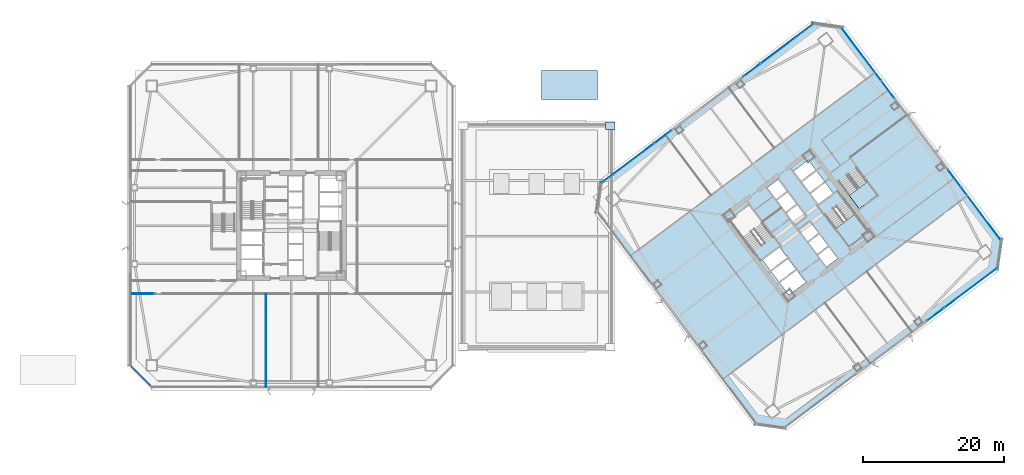
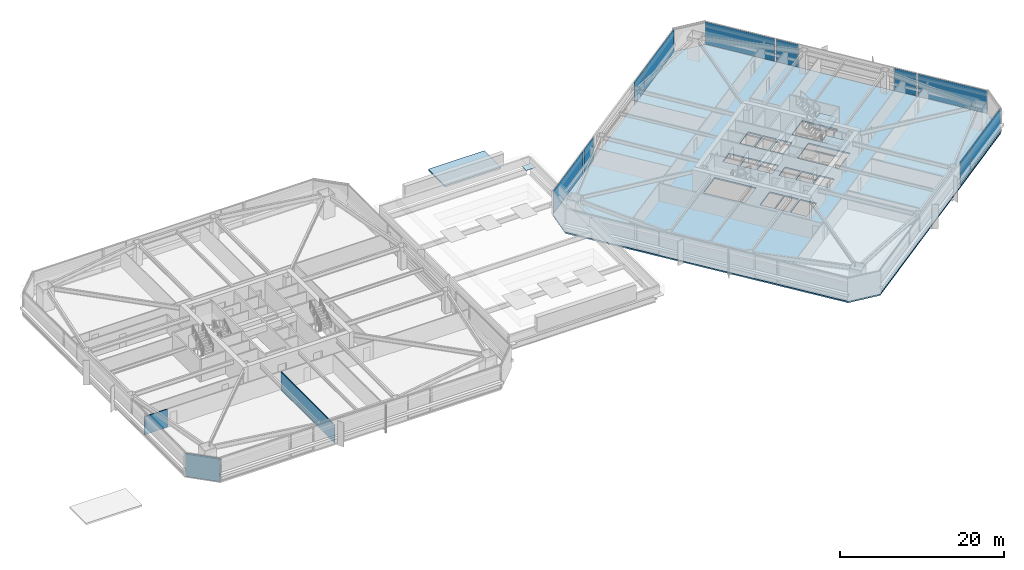
# One storey, part 42 of 62: 11 plates, 4 slabs, 3 walls, 12 elements without a shape of their own.
"""IFC4 building model written with IfcOpenShell, lengths in metres."""

from ifc_helpers import new_model, si_unit, direction, frame, frame_2d, origin, origin_2d, place, context, subcontext, project, spatial, polyline, rectangle, outline, extrude, material, layer, layer_set, type_object, element, aggregate, save


model = new_model("IFC4")

# Units and contexts
model_context = context("Model", 3, precision=1e-05, world=origin(), true_north=direction((0.0, 1.0)))
body_context = subcontext(model_context, "Body", "Model", "MODEL_VIEW")
ifc_project = project(units=[si_unit("LENGTHUNIT", "METRE"), si_unit("AREAUNIT", "SQUARE_METRE"), si_unit("VOLUMEUNIT", "CUBIC_METRE"), si_unit("PLANEANGLEUNIT", "RADIAN"), si_unit("MASSUNIT", "GRAM", prefix="KILO")], contexts=[model_context])

# Site, building, storey
site_placement = place(None, origin())
site = spatial("IfcSite", under=ifc_project, at=site_placement, CompositionType="ELEMENT")
building_placement = place(site_placement, origin())
building = spatial("IfcBuilding", under=site, at=building_placement, Name="Tashvorn Skyway Center", CompositionType="ELEMENT")
storey_placement = place(building_placement, frame((0.0, 0.0, 28.14990234375)))
storey = spatial("IfcBuildingStorey", under=building, at=storey_placement, Name="L06", CompositionType="ELEMENT", Elevation=28.14990234375)

# Curtain wall, plate
ifc_material_1 = material(Name="Thermally broken bronze-anodized aluminium 6063-T6", Category="aluminium")
curtain_wall_type = type_object("IfcCurtainWallType", Name="CW-CW-Z1", PredefinedType="NOTDEFINED", material=ifc_material_1)
curtain_wall_1_placement = place(storey_placement, origin())
curtain_wall_1 = element("IfcCurtainWall", 1, at=curtain_wall_1_placement, inside=storey, type_object=curtain_wall_type, Name="Tower 2 L06 South Unitised Curtain Wall Glazing Group 1", PredefinedType="NOTDEFINED")
ifc_material_2 = material(Name="Low-E solar-control double insulating safety glass", Category="glass")
ifc_layer_1 = layer(ifc_material_2, 0.048095703125)
ifc_layer_set_1 = layer_set([ifc_layer_1], Name="Low-E solar-control double insulating safety glass")
plate_type_1 = type_object("IfcPlateType", Name="CWP-CW-Z1", PredefinedType="CURTAIN_PANEL", material=ifc_layer_set_1)
plate_1_placement = place(storey_placement, frame((138.3359375, 23.152099609375, 0.085205078125), z_axis=(0.0, 0.0, 1.0), x_axis=(-0.799999999998, -0.600000000002, 0.0)))
plate_1 = element("IfcPlate", 2, at=plate_1_placement, type_object=plate_type_1, Name="CW-Z1 panel 1.1", PredefinedType="CURTAIN_PANEL", context=body_context, shape_type="SweptSolid", body=[
    extrude(rectangle(XDim=9.27001953125, YDim=0.048095703125, at=origin_2d()), origin(), (0.0, 0.0, 1.0), 3.3798828125),
])
aggregate(curtain_wall_1, [plate_1])

curtain_wall_2_placement = place(storey_placement, origin())
curtain_wall_2 = element("IfcCurtainWall", 3, at=curtain_wall_2_placement, inside=storey, type_object=curtain_wall_type, Name="Tower 2 L06 South Unitised Curtain Wall Glazing Group 2", PredefinedType="NOTDEFINED")
plate_2_placement = place(storey_placement, frame((133.30126953125, 19.3759765625, 0.085205078125), z_axis=(0.0, 0.0, 1.0), x_axis=(-0.799996186392, -0.600005084776, 0.0)))
plate_2 = element("IfcPlate", 4, at=plate_2_placement, type_object=plate_type_1, Name="CW-Z1 panel 1.1", PredefinedType="CURTAIN_PANEL", context=body_context, shape_type="SweptSolid", body=[
    extrude(rectangle(XDim=2.9765625, YDim=0.048095703125, at=origin_2d()), origin(), (0.0, 0.0, 1.0), 3.3798828125),
])
aggregate(curtain_wall_2, [plate_2])

curtain_wall_3_placement = place(storey_placement, origin())
curtain_wall_3 = element("IfcCurtainWall", 5, at=curtain_wall_3_placement, inside=storey, type_object=curtain_wall_type, Name="Tower 2 L06 North Unitised Curtain Wall Glazing Group 1", PredefinedType="NOTDEFINED")
plate_3_placement = place(storey_placement, frame((89.6640625, 40.847900390625, 0.085205078125), z_axis=(0.0, 0.0, 1.0), x_axis=(0.799999999998, 0.600000000002, 0.0)))
plate_3 = element("IfcPlate", 6, at=plate_3_placement, type_object=plate_type_1, Name="CW-Z1 panel 1.1", PredefinedType="CURTAIN_PANEL", context=body_context, shape_type="SweptSolid", body=[
    extrude(rectangle(XDim=9.27001953125, YDim=0.048095703125, at=origin_2d()), origin(), (0.0, 0.0, 1.0), 3.3798828125),
])
aggregate(curtain_wall_3, [plate_3])

curtain_wall_4_placement = place(storey_placement, origin())
curtain_wall_4 = element("IfcCurtainWall", 7, at=curtain_wall_4_placement, inside=storey, type_object=curtain_wall_type, Name="Tower 2 L06 North Unitised Curtain Wall Glazing Group 2", PredefinedType="NOTDEFINED")
plate_4_placement = place(storey_placement, frame((94.69873046875, 44.6240234375, 0.085205078125), z_axis=(0.0, 0.0, 1.0), x_axis=(0.799996186392, 0.600005084776, 0.0)))
plate_4 = element("IfcPlate", 8, at=plate_4_placement, type_object=plate_type_1, Name="CW-Z1 panel 1.1", PredefinedType="CURTAIN_PANEL", context=body_context, shape_type="SweptSolid", body=[
    extrude(rectangle(XDim=2.9765625, YDim=0.048095703125, at=origin_2d()), origin(), (0.0, 0.0, 1.0), 3.3798828125),
])
aggregate(curtain_wall_4, [plate_4])

curtain_wall_5_placement = place(storey_placement, origin())
curtain_wall_5 = element("IfcCurtainWall", 9, at=curtain_wall_5_placement, inside=storey, type_object=curtain_wall_type, Name="Tower 2 L06 North Unitised Curtain Wall Glazing Group 3", PredefinedType="NOTDEFINED")
plate_5_placement = place(storey_placement, frame((107.285400390625, 54.06396484375, 0.085205078125), z_axis=(0.0, 0.0, 1.0), x_axis=(0.799996186392, 0.600005084776, 0.0)))
plate_5 = element("IfcPlate", 10, at=plate_5_placement, type_object=plate_type_1, Name="CW-Z1 panel 1.1", PredefinedType="CURTAIN_PANEL", context=body_context, shape_type="SweptSolid", body=[
    extrude(rectangle(XDim=2.9765625, YDim=0.048095703125, at=origin_2d()), origin(), (0.0, 0.0, 1.0), 3.3798828125),
])
aggregate(curtain_wall_5, [plate_5])

curtain_wall_6_placement = place(storey_placement, origin())
curtain_wall_6 = element("IfcCurtainWall", 11, at=curtain_wall_6_placement, inside=storey, type_object=curtain_wall_type, Name="Tower 2 L06 North Unitised Curtain Wall Glazing Group 4", PredefinedType="NOTDEFINED")
plate_6_placement = place(storey_placement, frame((112.320068359375, 57.840087890625, 0.085205078125), z_axis=(0.0, 0.0, 1.0), x_axis=(0.799999999998, 0.600000000002, 0.0)))
plate_6 = element("IfcPlate", 12, at=plate_6_placement, type_object=plate_type_1, Name="CW-Z1 panel 1.1", PredefinedType="CURTAIN_PANEL", context=body_context, shape_type="SweptSolid", body=[
    extrude(rectangle(XDim=9.27001953125, YDim=0.048095703125, at=origin_2d()), origin(), (0.0, 0.0, 1.0), 3.3798828125),
])
aggregate(curtain_wall_6, [plate_6])

curtain_wall_7_placement = place(storey_placement, origin())
curtain_wall_7 = element("IfcCurtainWall", 13, at=curtain_wall_7_placement, inside=storey, type_object=curtain_wall_type, Name="Tower 2 L06 East Unitised Curtain Wall Glazing Group 1", PredefinedType="NOTDEFINED")
plate_7_placement = place(storey_placement, frame((122.847900390625, 56.3359375, 0.085205078125), z_axis=(0.0, 0.0, 1.0), x_axis=(0.600000000002, -0.799999999998, 0.0)))
plate_7 = element("IfcPlate", 14, at=plate_7_placement, type_object=plate_type_1, Name="CW-Z1 panel 1.1", PredefinedType="CURTAIN_PANEL", context=body_context, shape_type="SweptSolid", body=[
    extrude(rectangle(XDim=9.27001953125, YDim=0.048095703125, at=origin_2d()), origin(), (0.0, 0.0, 1.0), 3.3798828125),
])
aggregate(curtain_wall_7, [plate_7])

curtain_wall_8_placement = place(storey_placement, origin())
curtain_wall_8 = element("IfcCurtainWall", 15, at=curtain_wall_8_placement, inside=storey, type_object=curtain_wall_type, Name="Tower 2 L06 East Unitised Curtain Wall Glazing Group 2", PredefinedType="NOTDEFINED")
plate_8_placement = place(storey_placement, frame((126.6240234375, 51.30126953125, 0.085205078125), z_axis=(0.0, 0.0, 1.0), x_axis=(0.600005084776, -0.799996186392, 0.0)))
plate_8 = element("IfcPlate", 16, at=plate_8_placement, type_object=plate_type_1, Name="CW-Z1 panel 1.1", PredefinedType="CURTAIN_PANEL", context=body_context, shape_type="SweptSolid", body=[
    extrude(rectangle(XDim=2.9765625, YDim=0.048095703125, at=origin_2d()), origin(), (0.0, 0.0, 1.0), 3.3798828125),
])
aggregate(curtain_wall_8, [plate_8])

curtain_wall_9_placement = place(storey_placement, origin())
curtain_wall_9 = element("IfcCurtainWall", 17, at=curtain_wall_9_placement, inside=storey, type_object=curtain_wall_type, Name="Tower 2 L06 East Unitised Curtain Wall Glazing Group 3", PredefinedType="NOTDEFINED")
plate_9_placement = place(storey_placement, frame((136.06396484375, 38.714599609375, 0.085205078125), z_axis=(0.0, 0.0, 1.0), x_axis=(0.600005084776, -0.799996186392, 0.0)))
plate_9 = element("IfcPlate", 18, at=plate_9_placement, type_object=plate_type_1, Name="CW-Z1 panel 1.1", PredefinedType="CURTAIN_PANEL", context=body_context, shape_type="SweptSolid", body=[
    extrude(rectangle(XDim=2.9765625, YDim=0.048095703125, at=origin_2d()), origin(), (0.0, 0.0, 1.0), 3.3798828125),
])
aggregate(curtain_wall_9, [plate_9])

curtain_wall_10_placement = place(storey_placement, origin())
curtain_wall_10 = element("IfcCurtainWall", 19, at=curtain_wall_10_placement, inside=storey, type_object=curtain_wall_type, Name="Tower 2 L06 East Unitised Curtain Wall Glazing Group 4", PredefinedType="NOTDEFINED")
plate_10_placement = place(storey_placement, frame((139.840087890625, 33.679931640625, 0.085205078125), z_axis=(0.0, 0.0, 1.0), x_axis=(0.600000000002, -0.799999999998, 0.0)))
plate_10 = element("IfcPlate", 20, at=plate_10_placement, type_object=plate_type_1, Name="CW-Z1 panel 1.1", PredefinedType="CURTAIN_PANEL", context=body_context, shape_type="SweptSolid", body=[
    extrude(rectangle(XDim=9.27001953125, YDim=0.048095703125, at=origin_2d()), origin(), (0.0, 0.0, 1.0), 3.3798828125),
])
aggregate(curtain_wall_10, [plate_10])

# Plate
ifc_material_3 = material(Name="Steel ASTM A572 Grade 50", Category="steel")
ifc_layer_2 = layer(ifc_material_3, 0.050048828125)
ifc_layer_set_2 = layer_set([ifc_layer_2], Name="Steel ASTM A572 Grade 50")
plate_type_2 = type_object("IfcPlateType", Name="PLT-ENDCAP-900", PredefinedType="USERDEFINED", material=ifc_layer_set_2)
plate_11_placement = place(storey_placement, frame((87.199951171875, 46.199951171875, 1.64013671875), z_axis=(0.0, 0.0, 1.0), x_axis=(1.0, 0.0, 0.0)))
element("IfcPlate", 21, at=plate_11_placement, inside=storey, type_object=plate_type_2, Name="Monitor Column Cap Plate 2-2", ObjectType="END PLATE", PredefinedType="USERDEFINED", context=body_context, shape_type="SweptSolid", body=[
    extrude(rectangle(XDim=1.35009765625, YDim=1.050048828125, at=origin_2d()), origin(), (0.0, 0.0, 1.0), 0.050048828125),
])

# Slab
ifc_material_4 = material(Name="Concrete C40/50", Category="concrete")
ifc_layer_3 = layer(ifc_material_4, 0.199951171875)
ifc_layer_set_3 = layer_set([ifc_layer_3], Name="Concrete C40/50")
slab_type_1 = type_object("IfcSlabType", Name="SLAB-FLR-200", PredefinedType="FLOOR", material=ifc_layer_set_3)
slab_1_placement = place(storey_placement, frame((0.0, 0.0, -0.199951171875)))
element("IfcSlab", 22, at=slab_1_placement, inside=storey, type_object=slab_type_1, Name="Tower 2 L06 Composite Floor Slab", PredefinedType="FLOOR", context=body_context, shape_type="SweptSolid", body=[
    extrude(outline(polyline([(112.0400390625, 3.280029296875), (142.1201171875, 25.840087890625), (142.719970703125, 30.0400390625), (120.159912109375, 60.1201171875), (115.9599609375, 60.719970703125), (85.8798828125, 38.159912109375), (85.280029296875, 33.9599609375), (107.840087890625, 3.8798828125), (112.0400390625, 3.280029296875)]), holes=[polyline([(110.23193359375, 30.52392578125), (106.919921875, 34.93994140625), (104.135986328125, 32.85205078125), (107.447998046875, 28.43603515625), (110.23193359375, 30.52392578125)]), polyline([(117.76806640625, 33.47607421875), (121.080078125, 29.06005859375), (123.864013671875, 31.14794921875), (120.552001953125, 35.56396484375), (117.76806640625, 33.47607421875)]), polyline([(119.7119140625, 38.18408203125), (122.5439453125, 34.407958984375), (125.10400390625, 36.327880859375), (122.27197265625, 40.10400390625), (119.7119140625, 38.18408203125)]), polyline([(109.949951171875, 25.64990234375), (112.35009765625, 27.449951171875), (111.239990234375, 28.929931640625), (108.840087890625, 27.1298828125), (109.949951171875, 25.64990234375)]), polyline([(111.14990234375, 24.050048828125), (113.550048828125, 25.85009765625), (112.43994140625, 27.330078125), (110.0400390625, 25.530029296875), (111.14990234375, 24.050048828125)]), polyline([(112.56005859375, 22.169921875), (114.9599609375, 23.969970703125), (113.669921875, 25.68994140625), (111.27001953125, 23.889892578125), (112.56005859375, 22.169921875)]), polyline([(117.919921875, 26.18994140625), (119.43994140625, 27.330078125), (118.2099609375, 28.969970703125), (116.68994140625, 27.830078125), (117.919921875, 26.18994140625)]), polyline([(116.570068359375, 27.989990234375), (118.090087890625, 29.1298828125), (116.860107421875, 30.77001953125), (115.340087890625, 29.6298828125), (116.570068359375, 27.989990234375)]), polyline([(115.219970703125, 29.7900390625), (116.739990234375, 30.929931640625), (115.510009765625, 32.570068359375), (113.989990234375, 31.429931640625), (115.219970703125, 29.7900390625)]), polyline([(113.449951171875, 32.14990234375), (114.969970703125, 33.2900390625), (113.739990234375, 34.929931640625), (112.219970703125, 33.7900390625), (113.449951171875, 32.14990234375)]), polyline([(112.10009765625, 33.949951171875), (113.6201171875, 35.090087890625), (112.389892578125, 36.72998046875), (110.8701171875, 35.590087890625), (112.10009765625, 33.949951171875)]), polyline([(110.75, 35.75), (112.27001953125, 36.889892578125), (111.0400390625, 38.530029296875), (109.52001953125, 37.389892578125), (110.75, 35.75)]), polyline([(116.760009765625, 35.070068359375), (118.840087890625, 36.6298828125), (117.72998046875, 38.110107421875), (115.64990234375, 36.550048828125), (116.760009765625, 35.070068359375)]), polyline([(115.530029296875, 36.7099609375), (117.610107421875, 38.27001953125), (116.5, 39.75), (114.419921875, 38.18994140625), (115.530029296875, 36.7099609375)]), polyline([(114.300048828125, 38.35009765625), (116.3798828125, 39.909912109375), (115.330078125, 41.31005859375), (113.25, 39.75), (114.300048828125, 38.35009765625)])]), origin(), (0.0, 0.0, 1.0), 0.199951171875),
])

# Stair, slab
stair_type = type_object("IfcStairType", Name="STAIR-CORE-1500", PredefinedType="HALF_TURN_STAIR", material=ifc_material_4)
stair_1_placement = place(storey_placement, origin())
stair_1 = element("IfcStair", 23, at=stair_1_placement, inside=storey, type_object=stair_type, Name="L06 Tower 2 Exit Stair 2", PredefinedType="HALF_TURN_STAIR")
ifc_layer_4 = layer(ifc_material_4, 0.199951171875)
ifc_layer_set_4 = layer_set([ifc_layer_4], Name="Concrete C40/50")
slab_type_2 = type_object("IfcSlabType", Name="SLAB-LAND-200", PredefinedType="LANDING", material=ifc_layer_set_4)
slab_2_placement = place(storey_placement, frame((0.0, 0.0, 1.5751953125)))
slab_2 = element("IfcSlab", 24, at=slab_2_placement, type_object=slab_type_2, Name="ST-T2-2 landing 1", PredefinedType="LANDING", context=body_context, shape_type="SweptSolid", body=[
    extrude(outline(polyline([(119.17919921875, 31.594482421875), (121.080078125, 29.06005859375), (123.864013671875, 31.14794921875), (121.963134765625, 33.682373046875), (119.17919921875, 31.594482421875)])), origin(), (0.0, 0.0, 1.0), 0.199951171875),
])
aggregate(stair_1, [slab_2])

stair_2_placement = place(storey_placement, origin())
stair_2 = element("IfcStair", 25, at=stair_2_placement, inside=storey, type_object=stair_type, Name="L06 Tower 2 Exit Stair 3", PredefinedType="HALF_TURN_STAIR")
slab_3_placement = place(storey_placement, frame((0.0, 0.0, 1.5751953125)))
slab_3 = element("IfcSlab", 26, at=slab_3_placement, type_object=slab_type_2, Name="ST-T2-3 landing 1", PredefinedType="LANDING", context=body_context, shape_type="SweptSolid", body=[
    extrude(outline(polyline([(121.123291015625, 36.302490234375), (122.5439453125, 34.407958984375), (125.10400390625, 36.327880859375), (123.68310546875, 38.222412109375), (121.123291015625, 36.302490234375)])), origin(), (0.0, 0.0, 1.0), 0.199951171875),
])
aggregate(stair_2, [slab_3])

# Slab
ifc_layer_5 = layer(ifc_material_4, 0.25)
ifc_layer_set_5 = layer_set([ifc_layer_5], Name="Concrete C40/50")
slab_type_3 = type_object("IfcSlabType", Name="SLAB-ROOF-250", PredefinedType="ROOF", material=ifc_layer_set_5)
slab_4_placement = place(storey_placement, frame((0.0, 0.0, -0.25)))
element("IfcSlab", 27, at=slab_4_placement, inside=storey, type_object=slab_type_3, Name="L05 POD2 Stair Penthouse Roof Slab", PredefinedType="ROOF", context=body_context, shape_type="SweptSolid", body=[
    extrude(outline(polyline([(77.510009765625, 49.909912109375), (85.389892578125, 49.909912109375), (85.389892578125, 53.989990234375), (77.510009765625, 53.989990234375), (77.510009765625, 49.909912109375)])), origin(), (0.0, 0.0, 1.0), 0.25),
])

# Walls
ifc_material_5 = material(Name="Precast concrete C40/50", Category="concrete")
ifc_layer_6 = layer(ifc_material_5, 0.280029296875)
ifc_layer_set_6 = layer_set([ifc_layer_6], Name="Precast concrete C40/50")
wall_type_1 = type_object("IfcWallType", Name="WALL-EXT-280", PredefinedType="SOLIDWALL", material=ifc_layer_set_6)
wall_1_placement = place(storey_placement, frame((22.199951171875, 9.10009765625, 0.0), z_axis=(0.0, 0.0, 1.0), x_axis=(-0.707106781187, 0.707106781187, 0.0)))
element("IfcWall", 28, at=wall_1_placement, inside=storey, type_object=wall_type_1, Name="Tower 1 L06 SW Precast Chamfer Wall", PredefinedType="SOLIDWALL", context=body_context, shape_type="SweptSolid", body=[
    extrude(rectangle(XDim=4.3837890625, YDim=0.280029296875, at=frame_2d((2.19189453125, 0.0))), origin(), (0.0, 0.0, 1.0), 3.35009765625),
])
ifc_material_6 = material(Name="Gypsum board on cold-formed steel stud framing", Category="steel")
ifc_layer_7 = layer(ifc_material_6, 0.110107421875)
ifc_layer_set_7 = layer_set([ifc_layer_7], Name="Gypsum board on cold-formed steel stud framing")
wall_type_2 = type_object("IfcWallType", Name="WALL-PART-110", PredefinedType="PARTITIONING", material=ifc_layer_set_7)
wall_2_placement = place(storey_placement, frame((38.39990234375, 9.1201171875, 0.0), z_axis=(0.0, 0.0, 1.0), x_axis=(0.0, 1.0, 0.0)))
element("IfcWall", 29, at=wall_2_placement, inside=storey, type_object=wall_type_2, Name="Tower 1 L06 South Suite Partition 1", PredefinedType="PARTITIONING", context=body_context, shape_type="SweptSolid", body=[
    extrude(rectangle(XDim=13.1298828125, YDim=0.110107421875, at=frame_2d((6.56494140625, 0.0))), origin(), (0.0, 0.0, 1.0), 2.703125),
])
ifc_layer_8 = layer(ifc_material_6, 0.135009765625)
ifc_layer_set_8 = layer_set([ifc_layer_8], Name="Gypsum board on cold-formed steel stud framing")
wall_type_3 = type_object("IfcWallType", Name="WALL-PART-135", PredefinedType="PARTITIONING", material=ifc_layer_set_8)
wall_3_placement = place(storey_placement, frame((19.1201171875, 22.330078125, 0.0), z_axis=(0.0, 0.0, 1.0), x_axis=(1.0, 0.0, 0.0)))
element("IfcWall", 30, at=wall_3_placement, inside=storey, type_object=wall_type_3, Name="Tower 1 L06 South-West Suite North Wall", PredefinedType="PARTITIONING", context=body_context, shape_type="SweptSolid", body=[
    extrude(rectangle(XDim=3.22998046875, YDim=0.135009765625, at=frame_2d((1.614990234375, 0.0))), origin(), (0.0, 0.0, 1.0), 2.703125),
])

save(model, "model.ifc")
